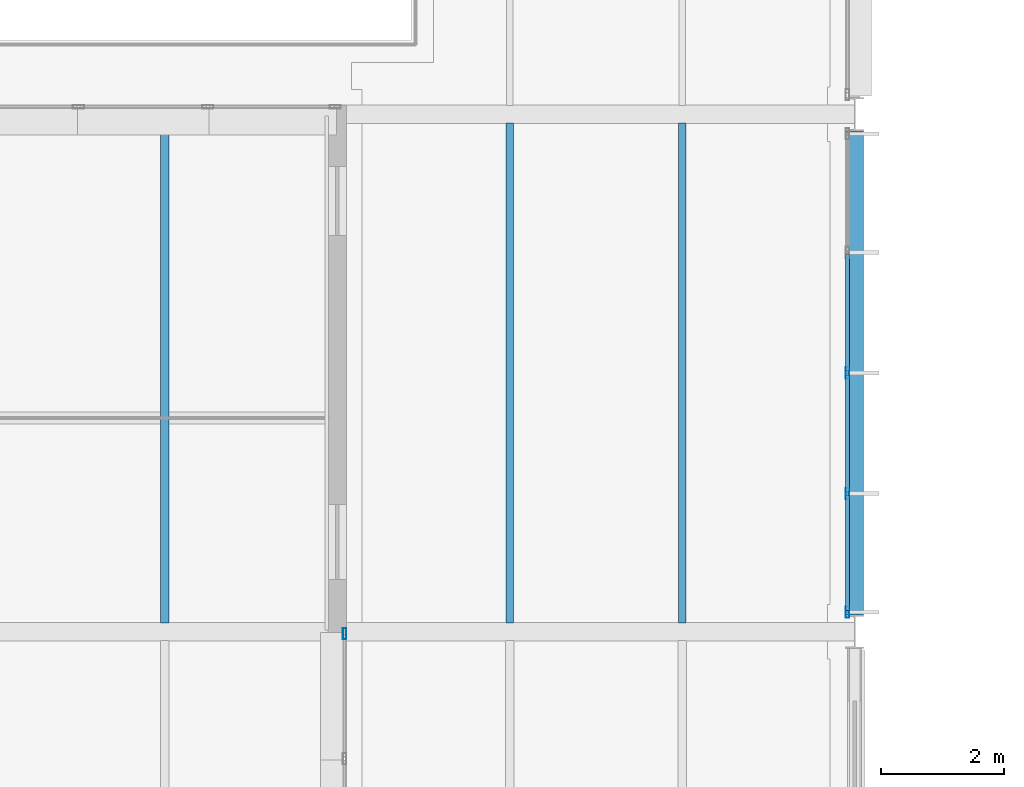
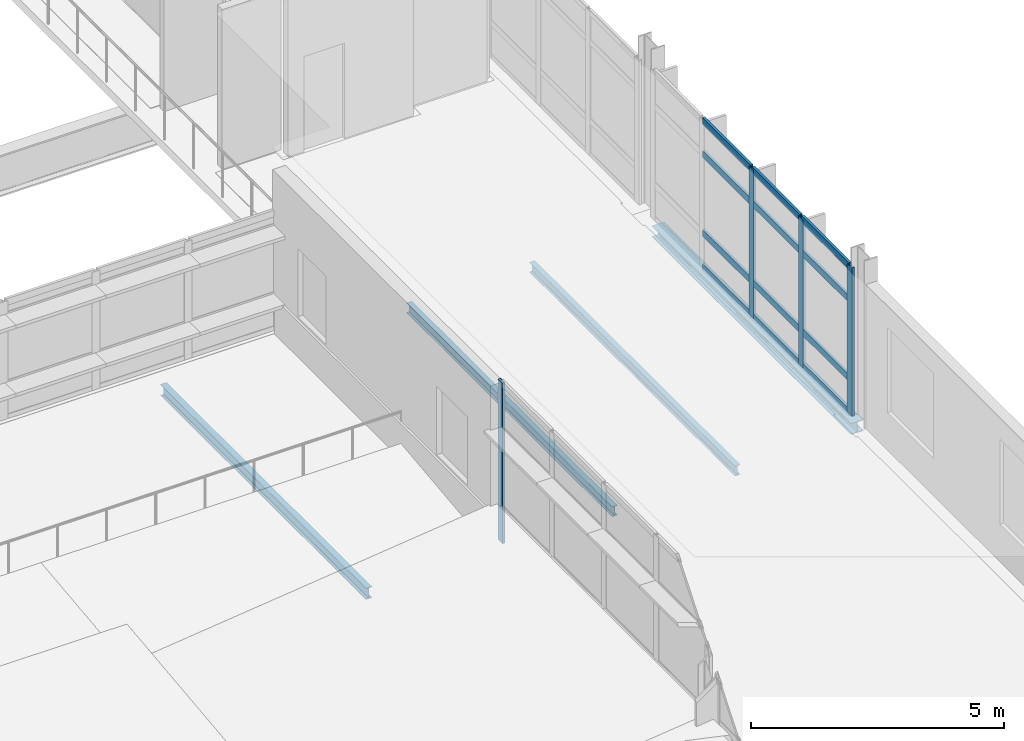
# One storey, part 26 of 131: 16 members, 4 beams, 2 elements without a shape of their own.
"""IFC4 building model written with IfcOpenShell, lengths in metres."""

from ifc_helpers import new_model, si_unit, direction, frame, origin, origin_2d, place, context, subcontext, project, spatial, hollow_rectangle, i_section, extrude, material, material_profile, profile_set, type_object, element, aggregate, save


model = new_model("IFC4")

# Units and contexts
model_context = context("Model", 3, precision=1e-05, world=origin(), true_north=direction((0.0, 1.0)))
body_context = subcontext(model_context, "Body", "Model", "MODEL_VIEW")
ifc_project = project(units=[si_unit("LENGTHUNIT", "METRE"), si_unit("AREAUNIT", "SQUARE_METRE"), si_unit("VOLUMEUNIT", "CUBIC_METRE"), si_unit("PLANEANGLEUNIT", "RADIAN"), si_unit("MASSUNIT", "GRAM", prefix="KILO")], contexts=[model_context])

# Site, building, storey
site_placement = place(None, origin())
site = spatial("IfcSite", under=ifc_project, at=site_placement, CompositionType="ELEMENT")
building_placement = place(site_placement, origin())
building = spatial("IfcBuilding", under=site, at=building_placement, Name="Mersafa Astral City Hall", CompositionType="ELEMENT")
storey_placement = place(building_placement, frame((0.0, 0.0, 13.949951171875)))
storey = spatial("IfcBuildingStorey", under=building, at=storey_placement, Name="L03", CompositionType="ELEMENT", Elevation=13.949951171875)

# Curtain wall, members
ifc_material_1 = material(Name="Anodised bronze aluminium framing", Category="aluminium")
curtain_wall_type_1 = type_object("IfcCurtainWallType", Name="ENV-CW-3", PredefinedType="USERDEFINED", material=ifc_material_1)
curtain_wall_1_placement = place(storey_placement, origin())
curtain_wall_1 = element("IfcCurtainWall", 1, at=curtain_wall_1_placement, inside=storey, type_object=curtain_wall_type_1, Name="L03 Unitised solar curtain wall 152", ObjectType="UNITISED CURTAIN WALL", PredefinedType="USERDEFINED")
ifc_material_profile_1 = material_profile(ifc_material_1, hollow_rectangle(XDim=0.06005859375, YDim=0.179931640625, WallThickness=0.00390625, at=origin_2d()), Name="RHS 60x180x4")
ifc_profile_set_1 = profile_set([ifc_material_profile_1], Name="Anodised bronze aluminium framing")
member_type_1 = type_object("IfcMemberType", Name="ENV-CW-MUL-1", PredefinedType="MULLION", material=ifc_profile_set_1)
member_1_placement = place(storey_placement, frame((117.47998046875, 42.31689453125, -0.001953125), z_axis=(0.0, 0.0, 1.0), x_axis=(-1.0, 0.0, 0.0)))
member_1 = element("IfcMember", 2, at=member_1_placement, type_object=member_type_1, Name="CW-3 mullion 1", PredefinedType="MULLION", context=body_context, shape_type="SweptSolid", body=[
    extrude(hollow_rectangle(XDim=0.06005859375, YDim=0.179931640625, WallThickness=0.00390625, at=origin_2d()), origin(), (0.0, 0.0, 1.0), 3.5791015625),
])
member_2_placement = place(storey_placement, frame((117.47998046875, 44.243408203125, -0.001953125), z_axis=(0.0, 0.0, 1.0), x_axis=(-1.0, 0.0, 0.0)))
member_2 = element("IfcMember", 3, at=member_2_placement, type_object=member_type_1, Name="CW-3 mullion 2", PredefinedType="MULLION", context=body_context, shape_type="SweptSolid", body=[
    extrude(hollow_rectangle(XDim=0.06005859375, YDim=0.179931640625, WallThickness=0.00390625, at=origin_2d()), origin(), (0.0, 0.0, 1.0), 3.5791015625),
])
member_3_placement = place(storey_placement, frame((117.47998046875, 46.199951171875, -0.001953125), z_axis=(0.0, 0.0, 1.0), x_axis=(-1.0, 0.0, 0.0)))
member_3 = element("IfcMember", 4, at=member_3_placement, type_object=member_type_1, Name="CW-3 mullion 3", PredefinedType="MULLION", context=body_context, shape_type="SweptSolid", body=[
    extrude(hollow_rectangle(XDim=0.06005859375, YDim=0.179931640625, WallThickness=0.00390625, at=origin_2d()), origin(), (0.0, 0.0, 1.0), 3.5791015625),
])

# Curtain wall, member
curtain_wall_type_2 = type_object("IfcCurtainWallType", Name="ENV-CW-4", PredefinedType="USERDEFINED", material=ifc_material_1)
curtain_wall_2_placement = place(storey_placement, origin())
curtain_wall_2 = element("IfcCurtainWall", 5, at=curtain_wall_2_placement, inside=storey, type_object=curtain_wall_type_2, Name="L03 Unitised solar curtain wall 189", ObjectType="UNITISED CURTAIN WALL", PredefinedType="USERDEFINED")
member_4_placement = place(storey_placement, frame((109.320068359375, 41.969970703125, -0.001953125), z_axis=(0.0, 0.0, 1.0), x_axis=(1.0, 0.0, 0.0)))
member_4 = element("IfcMember", 6, at=member_4_placement, type_object=member_type_1, Name="CW-4 mullion 1", PredefinedType="MULLION", context=body_context, shape_type="SweptSolid", body=[
    extrude(hollow_rectangle(XDim=0.06005859375, YDim=0.179931640625, WallThickness=0.00390625, at=origin_2d()), origin(), (0.0, 0.0, 1.0), 3.866943359375),
])
aggregate(curtain_wall_2, [member_4])

# Member
ifc_material_profile_2 = material_profile(ifc_material_1, hollow_rectangle(XDim=0.06005859375, YDim=0.159912109375, WallThickness=0.00390625, at=origin_2d()), Name="RHS 60x160x4")
ifc_profile_set_2 = profile_set([ifc_material_profile_2], Name="Anodised bronze aluminium framing")
member_type_2 = type_object("IfcMemberType", Name="ENV-CW-TRN-2", PredefinedType="USERDEFINED", material=ifc_profile_set_2)
member_5_placement = place(storey_placement, frame((117.47998046875, 42.346923828125, 0.028076171875), z_axis=(0.0, 1.0, 0.0), x_axis=(-1.0, 0.0, 0.0)))
member_5 = element("IfcMember", 7, at=member_5_placement, type_object=member_type_2, Name="CW-3 transom 1.1", ObjectType="TRANSOM", PredefinedType="USERDEFINED", context=body_context, shape_type="SweptSolid", body=[
    extrude(hollow_rectangle(XDim=0.06005859375, YDim=0.159912109375, WallThickness=0.00390625, at=origin_2d()), origin(), (0.0, 0.0, 1.0), 1.866455078125),
])

member_6_placement = place(storey_placement, frame((117.47998046875, 42.346923828125, 0.85009765625), z_axis=(0.0, 1.0, 0.0), x_axis=(-1.0, 0.0, 0.0)))
member_6 = element("IfcMember", 8, at=member_6_placement, type_object=member_type_2, Name="CW-3 transom 1.2", ObjectType="TRANSOM", PredefinedType="USERDEFINED", context=body_context, shape_type="SweptSolid", body=[
    extrude(hollow_rectangle(XDim=0.06005859375, YDim=0.159912109375, WallThickness=0.00390625, at=origin_2d()), origin(), (0.0, 0.0, 1.0), 1.866455078125),
])

member_7_placement = place(storey_placement, frame((117.47998046875, 42.346923828125, 2.75), z_axis=(0.0, 1.0, 0.0), x_axis=(-1.0, 0.0, 0.0)))
member_7 = element("IfcMember", 9, at=member_7_placement, type_object=member_type_2, Name="CW-3 transom 1.3", ObjectType="TRANSOM", PredefinedType="USERDEFINED", context=body_context, shape_type="SweptSolid", body=[
    extrude(hollow_rectangle(XDim=0.06005859375, YDim=0.159912109375, WallThickness=0.00390625, at=origin_2d()), origin(), (0.0, 0.0, 1.0), 1.866455078125),
])

member_8_placement = place(storey_placement, frame((117.47998046875, 42.346923828125, 3.547119140625), z_axis=(0.0, 1.0, 0.0), x_axis=(-1.0, 0.0, 0.0)))
member_8 = element("IfcMember", 10, at=member_8_placement, type_object=member_type_2, Name="CW-3 transom 1.4", ObjectType="TRANSOM", PredefinedType="USERDEFINED", context=body_context, shape_type="SweptSolid", body=[
    extrude(hollow_rectangle(XDim=0.06005859375, YDim=0.159912109375, WallThickness=0.00390625, at=origin_2d()), origin(), (0.0, 0.0, 1.0), 1.866455078125),
])

member_9_placement = place(storey_placement, frame((117.47998046875, 44.2734375, 0.028076171875), z_axis=(0.0, 1.0, 0.0), x_axis=(-1.0, 0.0, 0.0)))
member_9 = element("IfcMember", 11, at=member_9_placement, type_object=member_type_2, Name="CW-3 transom 2.1", ObjectType="TRANSOM", PredefinedType="USERDEFINED", context=body_context, shape_type="SweptSolid", body=[
    extrude(hollow_rectangle(XDim=0.06005859375, YDim=0.159912109375, WallThickness=0.00390625, at=origin_2d()), origin(), (0.0, 0.0, 1.0), 1.896484375),
])

member_10_placement = place(storey_placement, frame((117.47998046875, 44.2734375, 0.85009765625), z_axis=(0.0, 1.0, 0.0), x_axis=(-1.0, 0.0, 0.0)))
member_10 = element("IfcMember", 12, at=member_10_placement, type_object=member_type_2, Name="CW-3 transom 2.2", ObjectType="TRANSOM", PredefinedType="USERDEFINED", context=body_context, shape_type="SweptSolid", body=[
    extrude(hollow_rectangle(XDim=0.06005859375, YDim=0.159912109375, WallThickness=0.00390625, at=origin_2d()), origin(), (0.0, 0.0, 1.0), 1.896484375),
])

member_11_placement = place(storey_placement, frame((117.47998046875, 44.2734375, 2.75), z_axis=(0.0, 1.0, 0.0), x_axis=(-1.0, 0.0, 0.0)))
member_11 = element("IfcMember", 13, at=member_11_placement, type_object=member_type_2, Name="CW-3 transom 2.3", ObjectType="TRANSOM", PredefinedType="USERDEFINED", context=body_context, shape_type="SweptSolid", body=[
    extrude(hollow_rectangle(XDim=0.06005859375, YDim=0.159912109375, WallThickness=0.00390625, at=origin_2d()), origin(), (0.0, 0.0, 1.0), 1.896484375),
])

member_12_placement = place(storey_placement, frame((117.47998046875, 44.2734375, 3.547119140625), z_axis=(0.0, 1.0, 0.0), x_axis=(-1.0, 0.0, 0.0)))
member_12 = element("IfcMember", 14, at=member_12_placement, type_object=member_type_2, Name="CW-3 transom 2.4", ObjectType="TRANSOM", PredefinedType="USERDEFINED", context=body_context, shape_type="SweptSolid", body=[
    extrude(hollow_rectangle(XDim=0.06005859375, YDim=0.159912109375, WallThickness=0.00390625, at=origin_2d()), origin(), (0.0, 0.0, 1.0), 1.896484375),
])

member_13_placement = place(storey_placement, frame((117.47998046875, 46.22998046875, 0.028076171875), z_axis=(0.0, 1.0, 0.0), x_axis=(-1.0, 0.0, 0.0)))
member_13 = element("IfcMember", 15, at=member_13_placement, type_object=member_type_2, Name="CW-3 transom 3.1", ObjectType="TRANSOM", PredefinedType="USERDEFINED", context=body_context, shape_type="SweptSolid", body=[
    extrude(hollow_rectangle(XDim=0.06005859375, YDim=0.159912109375, WallThickness=0.00390625, at=origin_2d()), origin(), (0.0, 0.0, 1.0), 1.896484375),
])

member_14_placement = place(storey_placement, frame((117.47998046875, 46.22998046875, 0.85009765625), z_axis=(0.0, 1.0, 0.0), x_axis=(-1.0, 0.0, 0.0)))
member_14 = element("IfcMember", 16, at=member_14_placement, type_object=member_type_2, Name="CW-3 transom 3.2", ObjectType="TRANSOM", PredefinedType="USERDEFINED", context=body_context, shape_type="SweptSolid", body=[
    extrude(hollow_rectangle(XDim=0.06005859375, YDim=0.159912109375, WallThickness=0.00390625, at=origin_2d()), origin(), (0.0, 0.0, 1.0), 1.896484375),
])

member_15_placement = place(storey_placement, frame((117.47998046875, 46.22998046875, 2.75), z_axis=(0.0, 1.0, 0.0), x_axis=(-1.0, 0.0, 0.0)))
member_15 = element("IfcMember", 17, at=member_15_placement, type_object=member_type_2, Name="CW-3 transom 3.3", ObjectType="TRANSOM", PredefinedType="USERDEFINED", context=body_context, shape_type="SweptSolid", body=[
    extrude(hollow_rectangle(XDim=0.06005859375, YDim=0.159912109375, WallThickness=0.00390625, at=origin_2d()), origin(), (0.0, 0.0, 1.0), 1.896484375),
])

member_16_placement = place(storey_placement, frame((117.47998046875, 46.22998046875, 3.547119140625), z_axis=(0.0, 1.0, 0.0), x_axis=(-1.0, 0.0, 0.0)))
member_16 = element("IfcMember", 18, at=member_16_placement, type_object=member_type_2, Name="CW-3 transom 3.4", ObjectType="TRANSOM", PredefinedType="USERDEFINED", context=body_context, shape_type="SweptSolid", body=[
    extrude(hollow_rectangle(XDim=0.06005859375, YDim=0.159912109375, WallThickness=0.00390625, at=origin_2d()), origin(), (0.0, 0.0, 1.0), 1.896484375),
])

aggregate(curtain_wall_1, [member_1, member_2, member_3, member_5, member_6, member_7, member_8, member_9, member_10, member_11, member_12, member_13, member_14, member_15, member_16])

# Beams
ifc_material_2 = material(Name="Steel S355", Category="steel")
ifc_material_profile_3 = material_profile(ifc_material_2, i_section(OverallWidth=0.1201171875, OverallDepth=0.239990234375, WebThickness=0.006103515625, FlangeThickness=0.009765625, FilletRadius=0.014892578125, at=origin_2d()), Name="IPE 240")
ifc_profile_set_3 = profile_set([ifc_material_profile_3], Name="Steel S355")
beam_type_1 = type_object("IfcBeamType", Name="STR-BM-JOIST-IPE240", PredefinedType="JOIST", material=ifc_profile_set_3)
for number, where, z_axis, x_axis, name in (
    (19, (112.0, 42.14501953125, -0.320068359375), (0.0, 1.0, 0.0), (-1.0, 0.0, 0.0), "L03 Composite secondary floor joist 610"),
    (20, (114.800048828125, 42.14501953125, -0.320068359375), (0.0, 1.0, 0.0), (-1.0, 0.0, 0.0), "L03 Composite secondary floor joist 611"),
):
    element("IfcBeam", number, at=place(storey_placement, frame(where, z_axis=z_axis, x_axis=x_axis)), inside=storey, type_object=beam_type_1, Name=name, PredefinedType="JOIST", context=body_context, shape_type="SweptSolid", body=[
        extrude(i_section(OverallWidth=0.1201171875, OverallDepth=0.239990234375, WebThickness=0.006103515625, FlangeThickness=0.009765625, FilletRadius=0.014892578125, at=origin_2d()), origin(), (0.0, 0.0, 1.0), 8.10986328125),
    ])
ifc_material_profile_4 = material_profile(ifc_material_2, i_section(OverallWidth=0.135009765625, OverallDepth=0.27001953125, WebThickness=0.006591796875, FlangeThickness=0.01025390625, FilletRadius=0.014892578125, at=origin_2d()), Name="IPE 270")
ifc_profile_set_4 = profile_set([ifc_material_profile_4], Name="Steel S355")
beam_type_2 = type_object("IfcBeamType", Name="STR-BM-JOIST-IPE270", PredefinedType="JOIST", material=ifc_profile_set_4)
beam_1_placement = place(storey_placement, frame((106.39990234375, 42.14501953125, -0.3349609375), z_axis=(0.0, 1.0, 0.0), x_axis=(-1.0, 0.0, 0.0)))
element("IfcBeam", 21, at=beam_1_placement, inside=storey, type_object=beam_type_2, Name="L03 Flat roof secondary joist 24", PredefinedType="JOIST", context=body_context, shape_type="SweptSolid", body=[
    extrude(i_section(OverallWidth=0.135009765625, OverallDepth=0.27001953125, WebThickness=0.006591796875, FlangeThickness=0.01025390625, FilletRadius=0.014892578125, at=origin_2d()), origin(), (0.0, 0.0, 1.0), 8.10986328125),
])
ifc_material_profile_5 = material_profile(ifc_material_2, i_section(OverallWidth=0.280029296875, OverallDepth=0.27001953125, WebThickness=0.008056640625, FlangeThickness=0.012939453125, FilletRadius=0.02392578125, at=origin_2d()), Name="HEA 280")
ifc_profile_set_5 = profile_set([ifc_material_profile_5], Name="Steel S355")
beam_type_3 = type_object("IfcBeamType", Name="STR-BM-SPANDREL-HEA280", PredefinedType="SPANDREL", material=ifc_profile_set_5)
beam_2_placement = place(storey_placement, frame((117.60009765625, 42.27001953125, -0.3349609375), z_axis=(0.0, 1.0, 0.0), x_axis=(-1.0, 0.0, 0.0)))
element("IfcBeam", 22, at=beam_2_placement, inside=storey, type_object=beam_type_3, Name="L03 Primary girder Y 14-5", PredefinedType="SPANDREL", context=body_context, shape_type="SweptSolid", body=[
    extrude(i_section(OverallWidth=0.280029296875, OverallDepth=0.27001953125, WebThickness=0.008056640625, FlangeThickness=0.012939453125, FilletRadius=0.02392578125, at=origin_2d()), origin(), (0.0, 0.0, 1.0), 7.85986328125),
])

save(model, "model.ifc")
